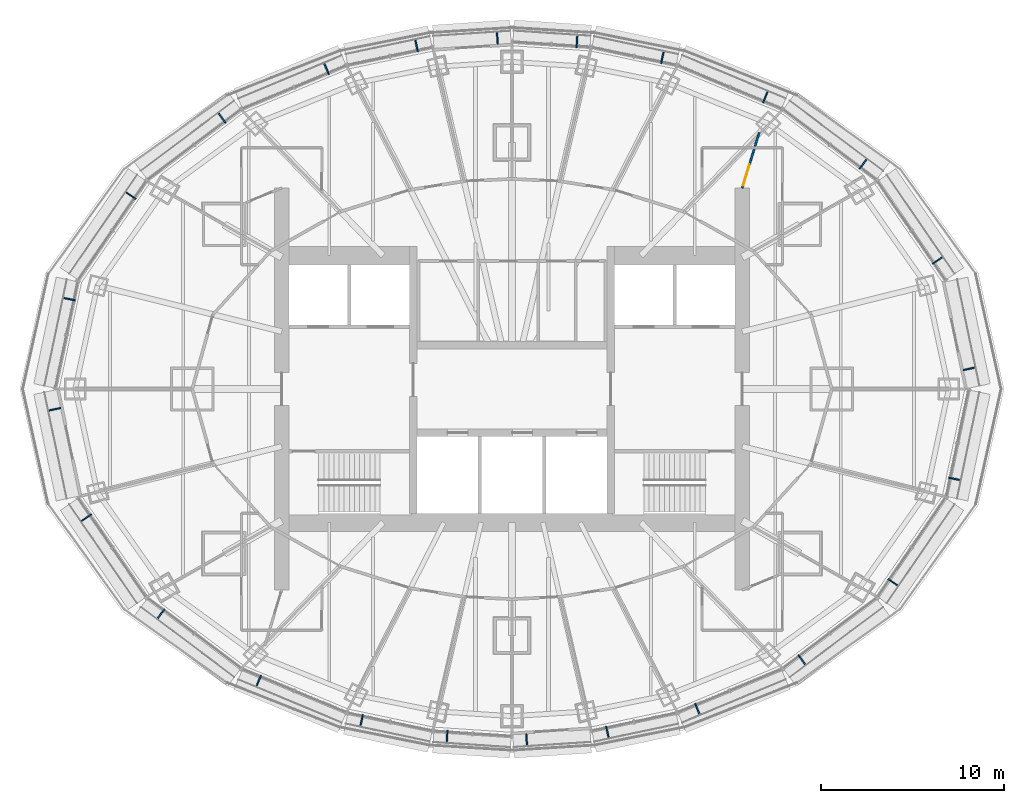
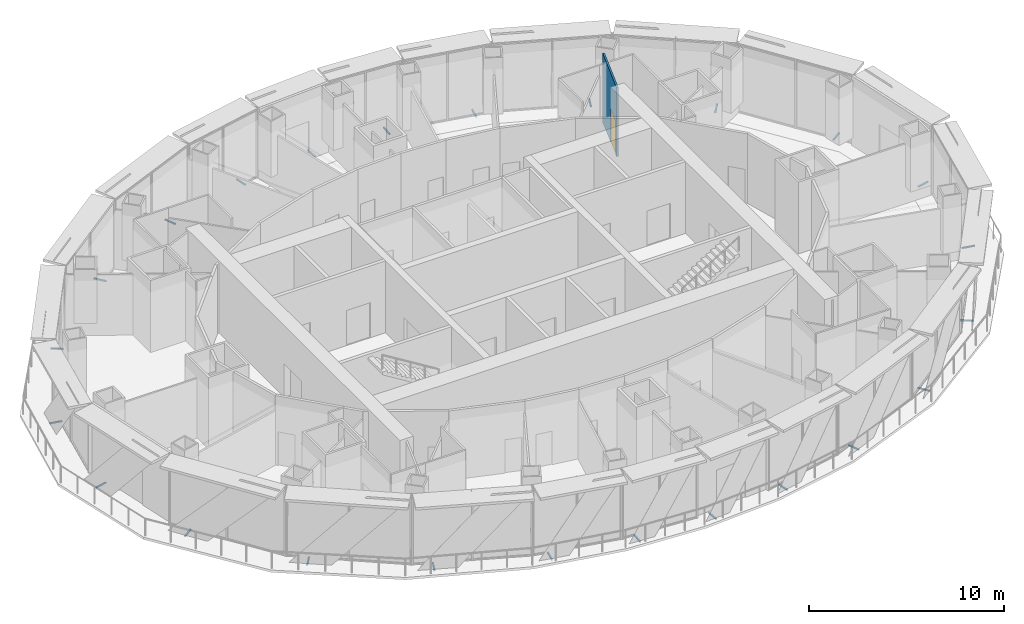
# One storey, part 13 of 17: 24 discrete accessories, 1 door, 1 wall, 1 opening.
"""IFC4 building model written with IfcOpenShell, lengths in metres."""

from ifc_helpers import new_model, si_unit, direction, frame, frame_2d, origin, origin_2d, place, context, subcontext, project, spatial, rectangle, extrude, material, layer, layer_set, type_object, element, fill, save


model = new_model("IFC4")

# Units and contexts
model_context = context("Model", 3, precision=1e-05, world=origin(), true_north=direction((0.0, 1.0)))
body_context = subcontext(model_context, "Body", "Model", "MODEL_VIEW")
ifc_project = project(units=[si_unit("LENGTHUNIT", "METRE"), si_unit("AREAUNIT", "SQUARE_METRE"), si_unit("VOLUMEUNIT", "CUBIC_METRE"), si_unit("PLANEANGLEUNIT", "RADIAN"), si_unit("MASSUNIT", "GRAM", prefix="KILO")], contexts=[model_context])

# Site, building, storey
site_placement = place(None, origin())
site = spatial("IfcSite", under=ifc_project, at=site_placement, CompositionType="ELEMENT")
building_placement = place(site_placement, origin())
building = spatial("IfcBuilding", under=site, at=building_placement, Name="Lantaw Convention Tower", CompositionType="ELEMENT")
storey_placement = place(building_placement, frame((0.0, 0.0, 270.39990234375)))
storey = spatial("IfcBuildingStorey", under=building, at=storey_placement, Name="L63", CompositionType="ELEMENT", Elevation=270.39990234375)

# Wall, opening, door
ifc_material_1 = material(Name="Gypsum board on steel studs, fire rated", Category="steel")
ifc_layer = layer(ifc_material_1, 0.10009765625)
ifc_layer_set = layer_set([ifc_layer], Name="Corridor screen wall 100 EI 30")
wall_type = type_object("IfcWallType", Name="Corridor screen wall 100 EI 30", PredefinedType="PARTITIONING", material=ifc_layer_set)
wall_placement = place(storey_placement, frame((12.60009765625, 11.0, 0.0), z_axis=(0.0, 0.0, 1.0), x_axis=(0.293039542174, 0.95610032252, 0.0)))
wall = element("IfcWall", 1, at=wall_placement, inside=storey, type_object=wall_type, Name="Corridor screen wall 100", PredefinedType="PARTITIONING", context=body_context, shape_type="SweptSolid", body=[
    extrude(rectangle(XDim=3.1650390625, YDim=0.10009765625, at=frame_2d((1.58251953125, 0.0))), origin(), (0.0, 0.0, 1.0), 4.35009765625),
])
opening_placement = place(wall_placement, frame((0.14990234375, 0.0, 0.0)))
opening = element("IfcOpeningElement", 2, at=opening_placement, cuts=wall, Name="Opening L63.49", PredefinedType="OPENING", context=body_context, shape_type="SweptSolid", body=[
    extrude(rectangle(XDim=1.199951171875, YDim=2.10009765625, at=frame_2d((0.60009765625, 1.050048828125))), frame((0.0, 0.06005859375, 0.0), z_axis=(0.0, -1.0, 0.0), x_axis=(1.0, 0.0, 0.0)), (0.0, 0.0, 1.0), 0.1201171875),
])
ifc_material_2 = material(Name="Steel, fire rated", Category="steel")
door_type = type_object("IfcDoorType", Name="Cross-corridor door 1200 FD30", OperationType="DOUBLE_DOOR_DOUBLE_SWING", PredefinedType="DOOR", material=ifc_material_2)
door_placement = place(opening_placement, origin())
door = element("IfcDoor", 3, at=door_placement, inside=storey, type_object=door_type, Name="Cross-corridor door", OperationType="DOUBLE_DOOR_DOUBLE_SWING", OverallHeight=2.10009765625, OverallWidth=1.199951171875, PredefinedType="DOOR", context=body_context, shape_type="SweptSolid", body=[
    extrude(rectangle(XDim=1.199951171875, YDim=2.10009765625, at=frame_2d((0.60009765625, 1.050048828125))), frame((0.0, 0.02490234375, 0.0), z_axis=(0.0, -1.0, 0.0), x_axis=(1.0, 0.0, 0.0)), (0.0, 0.0, 1.0), 0.050048828125),
])
fill(opening, door)

# Discrete accessories
for number, where, z_axis, x_axis, name in (
    (4, (25.031494140625, 1.109130859375, -0.114990234375), (0.0, 0.0, 1.0), (-0.205814054946, 0.978591117263, 0.0), "Screen bracket"),
    (5, (23.29833984375, 7.044677734375, -0.114990234375), (0.0, 0.0, 1.0), (-0.565934832921, 0.824449977189, 0.0), "Screen bracket"),
    (6, (19.21533203125, 12.318115234375, -0.114990234375), (0.0, 0.0, 1.0), (-0.799517528732, 0.600642756762, 0.0), "Screen bracket"),
    (7, (13.865234375, 15.98388671875, -0.114990234375), (0.0, 0.0, 1.0), (-0.923141777124, 0.384459697924, 0.0), "Screen bracket"),
    (8, (8.232177734375, 18.151123046875, -0.114990234375), (0.0, 0.0, 1.0), (-0.978332497083, 0.207039911975, 0.0), "Screen bracket"),
    (9, (3.55322265625, 19.0244140625, -0.114990234375), (0.0, 0.0, 1.0), (-0.997817975525, 0.066024902273, 0.0), "Screen bracket"),
    (10, (-0.801513671875, 19.20654296875, -0.114990234375), (0.0, 0.0, 1.0), (-0.997817975525, -0.066024902273, 0.0), "Screen bracket"),
    (11, (-5.22314453125, 18.787841796875, -0.114990234375), (0.0, 0.0, 1.0), (-0.978332497083, -0.207039911975, 0.0), "Screen bracket"),
    (12, (-10.1533203125, 17.52978515625, -0.114990234375), (0.0, 0.0, 1.0), (-0.923141777124, -0.384459697924, 0.0), "Screen bracket"),
    (13, (-15.86962890625, 14.83154296875, -0.114990234375), (0.0, 0.0, 1.0), (-0.799517528732, -0.600642756762, 0.0), "Screen bracket"),
    (14, (-20.864990234375, 10.58935546875, -0.114990234375), (0.0, 0.0, 1.0), (-0.565934832921, -0.824449977189, 0.0), "Screen bracket"),
    (15, (-24.22998046875, 4.920166015625, -0.114990234375), (0.0, 0.0, 1.0), (-0.205814054946, -0.978591117263, 0.0), "Screen bracket"),
    (16, (-25.031494140625, -1.109130859375, -0.114990234375), (0.0, 0.0, 1.0), (0.205814054946, -0.978591117263, 0.0), "Screen bracket"),
    (17, (-23.29833984375, -7.044677734375, -0.114990234375), (0.0, 0.0, 1.0), (0.565934832921, -0.824449977189, 0.0), "Screen bracket"),
    (18, (-19.21533203125, -12.318115234375, -0.114990234375), (0.0, 0.0, 1.0), (0.799517528732, -0.600642756762, 0.0), "Screen bracket"),
    (19, (-13.865234375, -15.98388671875, -0.114990234375), (0.0, 0.0, 1.0), (0.923141777124, -0.384459697924, 0.0), "Screen bracket"),
    (20, (-8.232177734375, -18.151123046875, -0.114990234375), (0.0, 0.0, 1.0), (0.978332497083, -0.207039911975, 0.0), "Screen bracket"),
    (21, (-3.55322265625, -19.0244140625, -0.114990234375), (0.0, 0.0, 1.0), (0.997817975525, -0.066024902273, 0.0), "Screen bracket"),
    (22, (0.801513671875, -19.20654296875, -0.114990234375), (0.0, 0.0, 1.0), (0.997817975525, 0.066024902273, 0.0), "Screen bracket"),
    (23, (5.22314453125, -18.787841796875, -0.114990234375), (0.0, 0.0, 1.0), (0.978332497083, 0.207039911975, 0.0), "Screen bracket"),
    (24, (10.1533203125, -17.52978515625, -0.114990234375), (0.0, 0.0, 1.0), (0.923141777124, 0.384459697924, 0.0), "Screen bracket"),
    (25, (15.86962890625, -14.83154296875, -0.114990234375), (0.0, 0.0, 1.0), (0.799517528732, 0.600642756762, 0.0), "Screen bracket"),
    (26, (20.864990234375, -10.58935546875, -0.114990234375), (0.0, 0.0, 1.0), (0.565934832921, 0.824449977189, 0.0), "Screen bracket"),
    (27, (24.22998046875, -4.920166015625, -0.114990234375), (0.0, 0.0, 1.0), (0.205814054946, 0.978591117263, 0.0), "Screen bracket"),
):
    element("IfcDiscreteAccessory", number, at=place(storey_placement, frame(where, z_axis=z_axis, x_axis=x_axis)), inside=storey, Name=name, PredefinedType="BRACKET", context=body_context, shape_type="SweptSolid", body=[
        extrude(rectangle(XDim=0.080078125, YDim=0.68798828125, at=origin_2d()), origin(), (0.0, 0.0, 1.0), 0.080078125),
    ])

save(model, "model.ifc")
